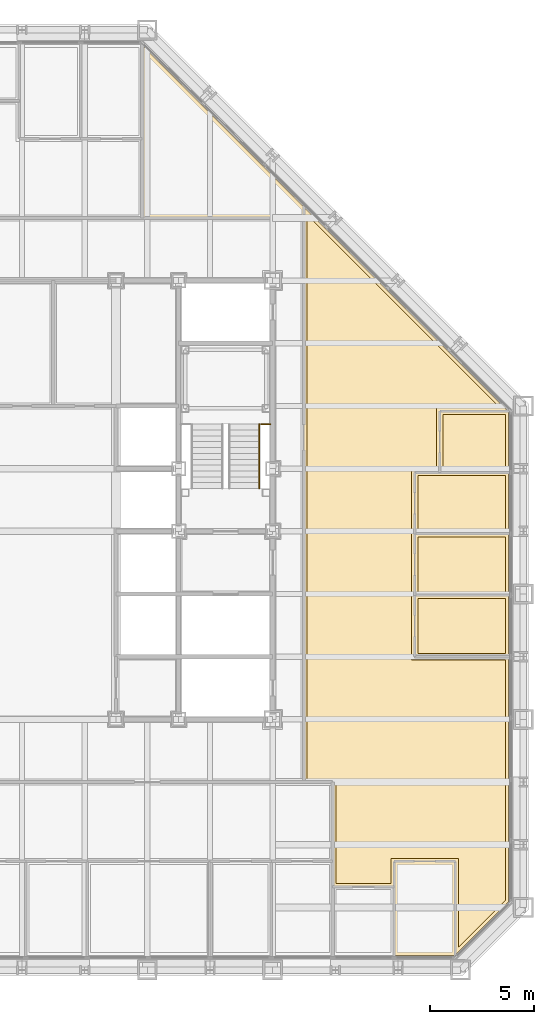
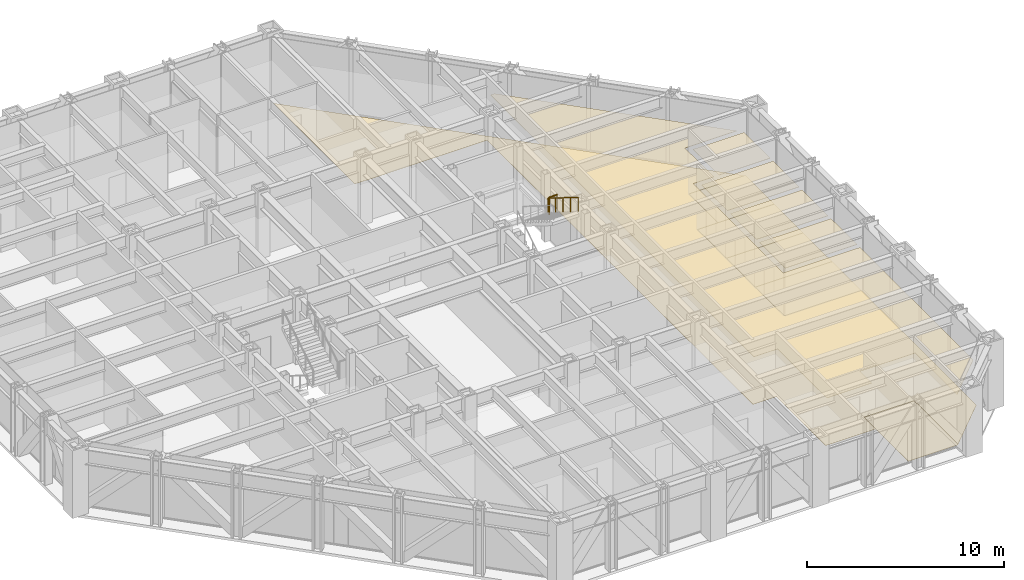
# One storey, part 15 of 16: 11 coverings, 2 railings.
"""IFC4 building model written with IfcOpenShell, lengths in metres."""

from ifc_helpers import new_model, si_unit, direction, frame, origin, origin_2d, place, context, subcontext, project, spatial, polyline, circle, outline, extrude, material, layer, layer_set, type_object, element, save


model = new_model("IFC4")

# Units and contexts
model_context = context("Model", 3, precision=1e-05, world=origin(), true_north=direction((0.0, 1.0)))
body_context = subcontext(model_context, "Body", "Model", "MODEL_VIEW")
ifc_project = project(units=[si_unit("LENGTHUNIT", "METRE"), si_unit("AREAUNIT", "SQUARE_METRE"), si_unit("VOLUMEUNIT", "CUBIC_METRE"), si_unit("PLANEANGLEUNIT", "RADIAN"), si_unit("MASSUNIT", "GRAM", prefix="KILO")], contexts=[model_context])

# Site, building, storey
site_placement = place(None, origin())
site = spatial("IfcSite", under=ifc_project, at=site_placement, CompositionType="ELEMENT")
building_placement = place(site_placement, origin())
building = spatial("IfcBuilding", under=site, at=building_placement, Name="Chuquiago Exchange Tower", CompositionType="ELEMENT")
storey_placement = place(building_placement, frame((0.0, 0.0, 106.800048828125)))
storey = spatial("IfcBuildingStorey", under=building, at=storey_placement, Name="L22", CompositionType="ELEMENT", Elevation=106.800048828125)

# Coverings
ifc_material_1 = material(Name="Mineral fibre tile, 600 x 600, on pale metal grid", Category="mineral fibre")
ifc_layer_1 = layer(ifc_material_1, 0.02001953125)
ifc_layer_set_1 = layer_set([ifc_layer_1], Name="CL1 suspended tile ceiling 20")
covering_type_1 = type_object("IfcCoveringType", Name="CL1 suspended tile ceiling 20", PredefinedType="CEILING", material=ifc_layer_set_1)
covering_1_placement = place(storey_placement, frame((0.0, 0.0, 2.800048828125)))
element("IfcCovering", 1, at=covering_1_placement, inside=storey, type_object=covering_type_1, Name="Ceiling Office", PredefinedType="CEILING", context=body_context, shape_type="SweptSolid", body=[
    extrude(outline(polyline([(39.949951171875, 15.14990234375), (39.949951171875, 17.787841796875), (44.14990234375, 17.787841796875), (44.14990234375, 15.14990234375), (39.949951171875, 15.14990234375)])), origin(), (0.0, 0.0, 1.0), 0.02001953125),
])
covering_2_placement = place(storey_placement, frame((0.0, 0.0, 2.800048828125)))
element("IfcCovering", 2, at=covering_2_placement, inside=storey, type_object=covering_type_1, Name="Ceiling Office", PredefinedType="CEILING", context=body_context, shape_type="SweptSolid", body=[
    extrude(outline(polyline([(39.949951171875, 18.087890625), (39.949951171875, 20.7255859375), (44.14990234375, 20.7255859375), (44.14990234375, 18.087890625), (39.949951171875, 18.087890625)])), origin(), (0.0, 0.0, 1.0), 0.02001953125),
])
covering_3_placement = place(storey_placement, frame((0.0, 0.0, 2.800048828125)))
element("IfcCovering", 3, at=covering_3_placement, inside=storey, type_object=covering_type_1, Name="Ceiling Meeting room", PredefinedType="CEILING", context=body_context, shape_type="SweptSolid", body=[
    extrude(outline(polyline([(39.949951171875, 21.025634765625), (39.949951171875, 23.66357421875), (44.14990234375, 23.66357421875), (44.14990234375, 21.025634765625), (39.949951171875, 21.025634765625)])), origin(), (0.0, 0.0, 1.0), 0.02001953125),
])
covering_4_placement = place(storey_placement, frame((0.0, 0.0, 2.800048828125)))
element("IfcCovering", 4, at=covering_4_placement, inside=storey, type_object=covering_type_1, Name="Ceiling Pantry", PredefinedType="CEILING", context=body_context, shape_type="SweptSolid", body=[
    extrude(outline(polyline([(44.14990234375, 23.963623046875), (41.14990234375, 23.963623046875), (41.14990234375, 26.6015625), (44.14990234375, 26.6015625), (44.14990234375, 23.963623046875)])), origin(), (0.0, 0.0, 1.0), 0.02001953125),
])
covering_5_placement = place(storey_placement, frame((0.0, 0.0, 2.800048828125)))
element("IfcCovering", 5, at=covering_5_placement, inside=storey, type_object=covering_type_1, Name="Ceiling Open office east suite", PredefinedType="CEILING", context=body_context, shape_type="SweptSolid", body=[
    extrude(outline(polyline([(43.896484375, 26.901611328125), (40.85009765625, 26.901611328125), (40.85009765625, 23.963623046875), (39.64990234375, 23.963623046875), (39.64990234375, 14.85009765625), (44.14990234375, 14.85009765625), (44.14990234375, 3.35205078125), (41.901611328125, 1.103515625), (41.901611328125, 5.35009765625), (38.66357421875, 5.35009765625), (38.66357421875, 4.14990234375), (36.026123046875, 4.14990234375), (36.026123046875, 9.150146484375), (34.650390625, 9.150390625), (34.650390625, 35.9150390625), (34.883056640625, 35.9150390625), (43.896484375, 26.901611328125)])), origin(), (0.0, 0.0, 1.0), 0.02001953125),
])
ifc_material_2 = material(Name="Carpet tile, 500 x 500, on the floor slab", Category="textile")
ifc_layer_2 = layer(ifc_material_2, 0.010009765625)
ifc_layer_set_2 = layer_set([ifc_layer_2], Name="FL1 carpet tile 10")
covering_type_2 = type_object("IfcCoveringType", Name="FL1 carpet tile 10", PredefinedType="FLOORING", material=ifc_layer_set_2)
covering_6_placement = place(storey_placement, origin())
element("IfcCovering", 6, at=covering_6_placement, inside=storey, type_object=covering_type_2, Name="Floor finish Office", PredefinedType="FLOORING", context=body_context, shape_type="SweptSolid", body=[
    extrude(outline(polyline([(41.710205078125, 0.699951171875), (38.813720703125, 0.699951171875), (38.813720703125, 5.199951171875), (41.75146484375, 5.199951171875), (41.75146484375, 0.741455078125), (41.710205078125, 0.699951171875)])), origin(), (0.0, 0.0, 1.0), 0.010009765625),
])
covering_7_placement = place(storey_placement, origin())
element("IfcCovering", 7, at=covering_7_placement, inside=storey, type_object=covering_type_2, Name="Floor finish Office", PredefinedType="FLOORING", context=body_context, shape_type="SweptSolid", body=[
    extrude(outline(polyline([(44.300048828125, 15.0), (39.800048828125, 15.0), (39.800048828125, 17.93798828125), (44.300048828125, 17.93798828125), (44.300048828125, 15.0)])), origin(), (0.0, 0.0, 1.0), 0.010009765625),
])
covering_8_placement = place(storey_placement, origin())
element("IfcCovering", 8, at=covering_8_placement, inside=storey, type_object=covering_type_2, Name="Floor finish Office", PredefinedType="FLOORING", context=body_context, shape_type="SweptSolid", body=[
    extrude(outline(polyline([(44.300048828125, 17.93798828125), (39.800048828125, 17.93798828125), (39.800048828125, 20.875732421875), (44.300048828125, 20.875732421875), (44.300048828125, 17.93798828125)])), origin(), (0.0, 0.0, 1.0), 0.010009765625),
])
covering_9_placement = place(storey_placement, origin())
element("IfcCovering", 9, at=covering_9_placement, inside=storey, type_object=covering_type_2, Name="Floor finish Meeting room", PredefinedType="FLOORING", context=body_context, shape_type="SweptSolid", body=[
    extrude(outline(polyline([(44.300048828125, 20.875732421875), (39.800048828125, 20.875732421875), (39.800048828125, 23.813720703125), (44.300048828125, 23.813720703125), (44.300048828125, 20.875732421875)])), origin(), (0.0, 0.0, 1.0), 0.010009765625),
])
covering_10_placement = place(storey_placement, origin())
element("IfcCovering", 10, at=covering_10_placement, inside=storey, type_object=covering_type_2, Name="Floor finish Open office east suite", PredefinedType="FLOORING", context=body_context, shape_type="SweptSolid", body=[
    extrude(outline(polyline([(44.258544921875, 26.75146484375), (41.0, 26.75146484375), (41.0, 23.813720703125), (39.800048828125, 23.813720703125), (39.800048828125, 15.0), (44.300048828125, 15.0), (44.300048828125, 3.289794921875), (41.75146484375, 0.741455078125), (41.75146484375, 5.199951171875), (38.813720703125, 5.199951171875), (38.813720703125, 4.0), (35.876220703125, 4.0), (35.876220703125, 9.0), (34.50048828125, 9.00048828125), (34.50048828125, 36.0), (26.751953125, 36.00048828125), (26.751953125, 44.258056640625), (44.258544921875, 26.75146484375)])), origin(), (0.0, 0.0, 1.0), 0.010009765625),
])
ifc_material_3 = material(Name="Porcelain floor tile, 600 x 600, on adhesive bed", Category="ceramic")
ifc_layer_3 = layer(ifc_material_3, 0.014892578125)
ifc_layer_set_3 = layer_set([ifc_layer_3], Name="FL2 porcelain tile 15")
covering_type_3 = type_object("IfcCoveringType", Name="FL2 porcelain tile 15", PredefinedType="FLOORING", material=ifc_layer_set_3)
covering_11_placement = place(storey_placement, origin())
element("IfcCovering", 11, at=covering_11_placement, inside=storey, type_object=covering_type_3, Name="Floor finish Pantry", PredefinedType="FLOORING", context=body_context, shape_type="SweptSolid", body=[
    extrude(outline(polyline([(44.300048828125, 26.710205078125), (44.300048828125, 23.813720703125), (41.0, 23.813720703125), (41.0, 26.75146484375), (44.258544921875, 26.75146484375), (44.300048828125, 26.710205078125)])), origin(), (0.0, 0.0, 1.0), 0.014892578125),
])

# Railings
ifc_material_4 = material(Name="Pale metal guard with safety glass infill", Category="glass")
railing_type_1 = type_object("IfcRailingType", Name="GR1 guard 1100", PredefinedType="GUARDRAIL", material=ifc_material_4)
railing_1_placement = place(storey_placement, frame((32.445068359375, 26.1298828125, 2.099853515625)))
element("IfcRailing", 12, at=railing_1_placement, inside=storey, type_object=railing_type_1, Name="Guard ST2 L22 landing 2", PredefinedType="GUARDRAIL", context=body_context, shape_type="SweptSolid", body=[
    extrude(circle(Radius=0.02392578125, at=origin_2d()), frame((0.0, 0.0, 1.076171875), z_axis=(1.0, 0.0, 0.0), x_axis=(0.0, 1.0, 0.0)), (0.0, 0.0, 1.0), 0.454833984375),
    extrude(circle(Radius=0.02099609375, at=origin_2d()), origin(), (0.0, 0.0, 1.0), 1.052001953125),
    extrude(circle(Radius=0.02099609375, at=origin_2d()), frame((0.454833984375, 0.0, 0.0)), (0.0, 0.0, 1.0), 1.052001953125),
])
ifc_material_5 = material(Name="Pale metal handrail", Category="steel")
railing_type_2 = type_object("IfcRailingType", Name="HR1 handrail 900", PredefinedType="HANDRAIL", material=ifc_material_5)
railing_2_placement = place(storey_placement, frame((32.364990234375, 26.1298828125, 2.27490234375)))
element("IfcRailing", 13, at=railing_2_placement, inside=storey, type_object=railing_type_2, Name="Handrail ST2 L22 flight 2", PredefinedType="HANDRAIL", context=body_context, shape_type="SweptSolid", body=[
    extrude(circle(Radius=0.02392578125, at=origin_2d()), frame((0.0, 0.0, 0.8759765625), z_axis=(0.0, -0.847979421464, 0.530029150871), x_axis=(1.0, 0.0, 0.0)), (0.0, 0.0, 1.0), 3.632080078125),
    extrude(circle(Radius=0.02099609375, at=origin_2d()), origin(), (0.0, 0.0, 1.0), 0.851806640625),
    extrude(circle(Radius=0.02099609375, at=origin_2d()), frame((0.0, -0.77001953125, 0.481201171875)), (0.0, 0.0, 1.0), 0.851806640625),
    extrude(circle(Radius=0.02099609375, at=origin_2d()), frame((0.0, -1.5400390625, 0.96240234375)), (0.0, 0.0, 1.0), 0.851806640625),
    extrude(circle(Radius=0.02099609375, at=origin_2d()), frame((0.0, -2.309814453125, 1.44384765625)), (0.0, 0.0, 1.0), 0.851806640625),
    extrude(circle(Radius=0.02099609375, at=origin_2d()), frame((0.0, -3.079833984375, 1.925048828125)), (0.0, 0.0, 1.0), 0.851806640625),
])

save(model, "model.ifc")
